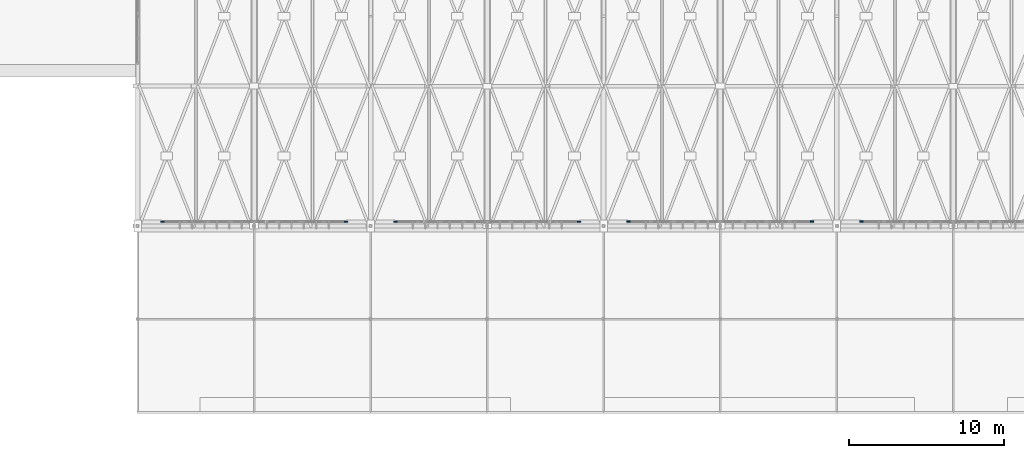
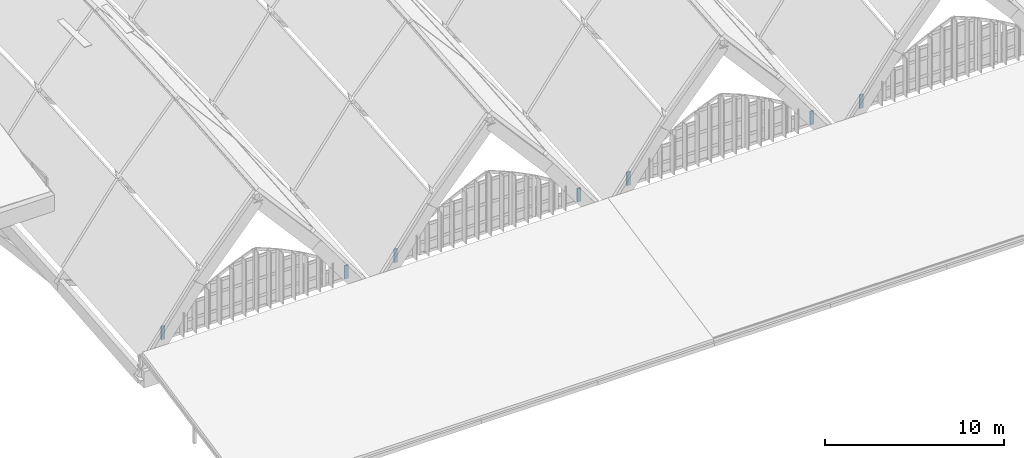
# One storey, part 54 of 93: 7 members, 4 elements without a shape of their own.
"""IFC4 building model written with IfcOpenShell, lengths in metres."""

import ifcopenshell
import ifcopenshell.guid

model = None  # the IFC model being written
_history = None  # IfcOwnerHistory: only IFC2X3 demands one
_inside = {}  # id of a spatial element -> (the spatial element, [elements in it])
_under = {}  # id of a project, library or spatial element -> (it, [spatial elements below it])
_declared = {}  # id of a project -> (the project, [libraries it declares])
_typed = {}  # id of a type object -> (the type object, [elements of that type])
_made_of = {}  # id of a material, layer set ... -> (it, [elements and type objects made of it])


def new_model(schema):
    """Start an empty IFC model of exactly this schema.

    Asked for "IFC4X3", IfcOpenShell would pick the latest addendum, in which some entities
    have other attributes; the version numbers below select the first issue.
    IFC2X3 requires an IfcOwnerHistory on every rooted entity: one is made here for all.
    """
    global model, _history
    if schema == "IFC4X3":
        model = ifcopenshell.file(schema_version=(4, 3, 0, 0))
    else:
        model = ifcopenshell.file(schema=schema)
    _inside.clear()
    _under.clear()
    _declared.clear()
    _typed.clear()
    _made_of.clear()
    _history = None
    if model.schema == "IFC2X3":
        org = make("IfcOrganization", Name="unknown")
        user = make(
            "IfcPersonAndOrganization",
            ThePerson=make("IfcPerson", FamilyName="unknown"),
            TheOrganization=org,
        )
        app = make(
            "IfcApplication",
            ApplicationDeveloper=org,
            Version="unknown",
            ApplicationFullName="unknown",
            ApplicationIdentifier="unknown",
        )
        _history = make(
            "IfcOwnerHistory",
            OwningUser=user,
            OwningApplication=app,
            ChangeAction="ADDED",
            CreationDate=0,
        )
    return model


def make(cls, **values):
    """One entity of the class cls with the attributes given. An attribute that is None is left unset."""
    return model.create_entity(
        cls, **{name: value for name, value in values.items() if value is not None}
    )


def rooted(cls, **values):
    """An entity with a GlobalId (a new one), such as an element, a storey or a relation."""
    return make(cls, GlobalId=ifcopenshell.guid.new(), OwnerHistory=_history, **values)


def si_unit(unit_type, name, prefix=None):
    """IfcSIUnit, for example si_unit("LENGTHUNIT", "METRE", prefix="MILLI")."""
    return make("IfcSIUnit", UnitType=unit_type, Prefix=prefix, Name=name)


def assignment(units):
    """IfcUnitAssignment: the units of a project."""
    return None if units is None else make("IfcUnitAssignment", Units=units)


def point(xyz):
    """IfcCartesianPoint."""
    return None if xyz is None else make("IfcCartesianPoint", Coordinates=xyz)


def direction(xyz):
    """IfcDirection."""
    return None if xyz is None else make("IfcDirection", DirectionRatios=xyz)


def frame(location, z_axis=None, x_axis=None):
    """IfcAxis2Placement3D, a coordinate frame: its origin and axes. An axis left out is left unset."""
    return make(
        "IfcAxis2Placement3D",
        Location=point(location),
        Axis=direction(z_axis),
        RefDirection=direction(x_axis),
    )


def frame_2d(location, x_axis=None):
    """IfcAxis2Placement2D, a coordinate frame in the plane: its origin and x axis."""
    return make(
        "IfcAxis2Placement2D", Location=point(location), RefDirection=direction(x_axis)
    )


def origin():
    """The frame at (0, 0, 0) with its axes left unset."""
    return frame((0.0, 0.0, 0.0))


def origin_2d():
    """The frame at (0, 0) in the plane with its x axis left unset."""
    return frame_2d((0.0, 0.0))


def place(relative_to, where):
    """IfcLocalPlacement: puts the frame where relative to a parent placement (None: the world)."""
    return make(
        "IfcLocalPlacement", PlacementRelTo=relative_to, RelativePlacement=where
    )


def context(
    kind, dimensions, precision=None, world=None, true_north=None, identifier=None
):
    """IfcGeometricRepresentationContext, for example the 3D "Model" context."""
    return make(
        "IfcGeometricRepresentationContext",
        ContextIdentifier=identifier,
        ContextType=kind,
        CoordinateSpaceDimension=dimensions,
        Precision=precision,
        WorldCoordinateSystem=world,
        TrueNorth=true_north,
    )


def subcontext(parent, identifier, kind, view, scale=None):
    """IfcGeometricRepresentationSubContext, for example "Body" below "Model"."""
    return make(
        "IfcGeometricRepresentationSubContext",
        ContextIdentifier=identifier,
        ContextType=kind,
        ParentContext=parent,
        TargetScale=scale,
        TargetView=view,
    )


def project(units=None, contexts=None):
    """IfcProject with its units and contexts."""
    return rooted(
        "IfcProject",
        Name="project",
        RepresentationContexts=contexts,
        UnitsInContext=assignment(units),
    )


def spatial(cls, under=None, at=None, **own):
    """A site, building, storey or space (cls), placed at a placement, below another one or the project."""
    s = rooted(cls, ObjectPlacement=at, **own)
    if under is not None:
        _under.setdefault(under.id(), (under, []))[1].append(s)
    return s


def profile(cls, at=None, kind="AREA", **sizes):
    """A parametric profile (cls). Its sizes go by their IFC names, for example OverallWidth=200.0."""
    return make(cls, ProfileType=kind, Position=at, **sizes)


def rectangle(**sizes):
    """IfcRectangleProfileDef."""
    return profile("IfcRectangleProfileDef", **sizes)


def extrude(swept, where, along, depth):
    """IfcExtrudedAreaSolid: the profile swept, set in the frame where, extruded along a direction by depth."""
    return make(
        "IfcExtrudedAreaSolid",
        SweptArea=swept,
        Position=where,
        ExtrudedDirection=direction(along),
        Depth=depth,
    )


def shape(context_of_items, identifier, shape_type, items):
    """IfcShapeRepresentation: the items that make up one representation, for example the "Body"."""
    return make(
        "IfcShapeRepresentation",
        ContextOfItems=context_of_items,
        RepresentationIdentifier=identifier,
        RepresentationType=shape_type,
        Items=items,
    )


def material(Name=None, Category=None):
    """IfcMaterial."""
    return make("IfcMaterial", Name=Name, Category=Category)


def material_profile(
    of_material, cross_section, Name=None, Category=None, Priority=None
):
    """IfcMaterialProfile: a cross section and its material."""
    return make(
        "IfcMaterialProfile",
        Name=Name,
        Material=of_material,
        Profile=cross_section,
        Priority=Priority,
        Category=Category,
    )


def profile_set(profiles, Name=None, composite=None):
    """IfcMaterialProfileSet."""
    return make(
        "IfcMaterialProfileSet",
        Name=Name,
        MaterialProfiles=profiles,
        CompositeProfile=composite,
    )


def made_of(thing, what):
    """Note that an element or type object is made of a material, layer set ...; save() writes the relation."""
    if what is not None:
        _made_of.setdefault(what.id(), (what, []))[1].append(thing)
    return thing


def type_object(cls, material=None, **own):
    """A type object (cls), such as IfcWallType, which elements share."""
    return made_of(rooted(cls, **own), material)


def element(
    cls,
    number,
    at=None,
    inside=None,
    cuts=None,
    type_object=None,
    material=None,
    context=None,
    identifier="Body",
    shape_type=None,
    held_by="IfcProductDefinitionShape",
    body=None,
    shapes=None,
    **own,
):
    """One element of the class cls, such as IfcWall. Its Tag is "e" and its number.

    at: its placement. inside: the storey or other place that contains it. cuts: it is an
    opening in that element (IfcRelVoidsElement). A single representation is given by context,
    identifier, shape_type and body (its items); several are given by shapes. held_by: the class
    of the entity that holds the representations. save() writes the other relations.
    """
    e = rooted(cls, Tag="e%d" % number, ObjectPlacement=at, **own)
    if body is not None:
        shapes = [shape(context, identifier, shape_type, body)]
    if shapes is not None:
        e.Representation = make(held_by, Representations=shapes)
    if inside is not None:
        _inside.setdefault(inside.id(), (inside, []))[1].append(e)
    if cuts is not None:
        rooted(
            "IfcRelVoidsElement", RelatingBuildingElement=cuts, RelatedOpeningElement=e
        )
    if type_object is not None:
        _typed.setdefault(type_object.id(), (type_object, []))[1].append(e)
    return made_of(e, material)


def aggregate(whole, parts):
    """IfcRelAggregates: a whole, such as a stair, and the parts it consists of."""
    return rooted("IfcRelAggregates", RelatingObject=whole, RelatedObjects=parts)


def save(model, path):
    """Write the relations noted so far, then the file.

    IfcRelAggregates (storeys below a building ...), IfcRelContainedInSpatialStructure (elements
    in a storey), IfcRelDefinesByType, IfcRelAssociatesMaterial and IfcRelDeclares: one each for
    every whole, place, type object, material and project.
    """
    for whole, parts in _under.values():
        aggregate(whole, parts)
    for where, things in _inside.values():
        rooted(
            "IfcRelContainedInSpatialStructure",
            RelatedElements=things,
            RelatingStructure=where,
        )
    for kind, things in _typed.values():
        rooted("IfcRelDefinesByType", RelatedObjects=things, RelatingType=kind)
    for what, things in _made_of.values():
        rooted("IfcRelAssociatesMaterial", RelatedObjects=things, RelatingMaterial=what)
    for by, libraries in _declared.values():
        rooted("IfcRelDeclares", RelatingContext=by, RelatedDefinitions=libraries)
    model.write(path)


model = new_model("IFC4")

# Units and contexts
model_context = context("Model", 3, precision=1e-05, world=origin(), true_north=direction((0.0, 1.0)))
body_context = subcontext(model_context, "Body", "Model", "MODEL_VIEW")
ifc_project = project(units=[si_unit("LENGTHUNIT", "METRE"), si_unit("AREAUNIT", "SQUARE_METRE"), si_unit("VOLUMEUNIT", "CUBIC_METRE"), si_unit("PLANEANGLEUNIT", "RADIAN"), si_unit("MASSUNIT", "GRAM", prefix="KILO")], contexts=[model_context])

# Site, building, storey
site_placement = place(None, origin())
site = spatial("IfcSite", under=ifc_project, at=site_placement, CompositionType="ELEMENT")
building_placement = place(site_placement, origin())
building = spatial("IfcBuilding", under=site, at=building_placement, Name="Vourika Railside Aquatics Centre", CompositionType="ELEMENT")
storey_placement = place(building_placement, frame((0.0, 0.0, 21.89990234375)))
storey = spatial("IfcBuildingStorey", under=building, at=storey_placement, Name="Roof", CompositionType="ELEMENT", Elevation=21.89990234375)

# Curtain wall, members
ifc_material_1 = material(Name="Anodized thermally broken aluminium", Category="aluminium")
curtain_wall_type_1 = type_object("IfcCurtainWallType", Name="CW-VLTS1", PredefinedType="NOTDEFINED", material=ifc_material_1)
curtain_wall_1_placement = place(storey_placement, origin())
curtain_wall_1 = element("IfcCurtainWall", 1, at=curtain_wall_1_placement, inside=storey, type_object=curtain_wall_type_1, Name="South Boulevard Pointed-Arch Clerestory Curtain Wall Bay 1", PredefinedType="NOTDEFINED")
ifc_material_2 = material(Name="Anodized aluminium mullion", Category="aluminium")
ifc_material_profile_1 = material_profile(ifc_material_2, rectangle(XDim=0.08203125, YDim=0.235107421875, at=origin_2d()), Name="ALU-M 82x235")
ifc_profile_set_1 = profile_set([ifc_material_profile_1], Name="Anodized aluminium mullion")
member_type_1 = type_object("IfcMemberType", Name="CWM-VLTS1", PredefinedType="MULLION", material=ifc_profile_set_1)
member_1_placement = place(storey_placement, frame((37.591064453125, 12.280029296875, -9.8798828125), z_axis=(0.0, 0.0, 1.0), x_axis=(0.0, 1.0, 0.0)))
member_1 = element("IfcMember", 2, at=member_1_placement, type_object=member_type_1, Name="CW03 arch mullion 1", PredefinedType="MULLION", context=body_context, shape_type="SweptSolid", body=[
    extrude(rectangle(XDim=0.08203125, YDim=0.235107421875, at=origin_2d()), origin(), (0.0, 0.0, 1.0), 0.909912109375),
])
member_2_placement = place(storey_placement, frame((49.408935546875, 12.280029296875, -9.8798828125), z_axis=(0.0, 0.0, 1.0), x_axis=(0.0, 1.0, 0.0)))
member_2 = element("IfcMember", 3, at=member_2_placement, type_object=member_type_1, Name="CW03 arch mullion 9", PredefinedType="MULLION", context=body_context, shape_type="SweptSolid", body=[
    extrude(rectangle(XDim=0.08203125, YDim=0.235107421875, at=origin_2d()), origin(), (0.0, 0.0, 1.0), 0.909912109375),
])
aggregate(curtain_wall_1, [member_1, member_2])

curtain_wall_2_placement = place(storey_placement, origin())
curtain_wall_2 = element("IfcCurtainWall", 4, at=curtain_wall_2_placement, inside=storey, type_object=curtain_wall_type_1, Name="South Boulevard Pointed-Arch Clerestory Curtain Wall Bay 2", PredefinedType="NOTDEFINED")
member_3_placement = place(storey_placement, frame((52.591064453125, 12.280029296875, -9.8798828125), z_axis=(0.0, 0.0, 1.0), x_axis=(0.0, 1.0, 0.0)))
member_3 = element("IfcMember", 5, at=member_3_placement, type_object=member_type_1, Name="CW03 arch mullion 1", PredefinedType="MULLION", context=body_context, shape_type="SweptSolid", body=[
    extrude(rectangle(XDim=0.08203125, YDim=0.235107421875, at=origin_2d()), origin(), (0.0, 0.0, 1.0), 0.909912109375),
])
member_4_placement = place(storey_placement, frame((64.408935546875, 12.280029296875, -9.8798828125), z_axis=(0.0, 0.0, 1.0), x_axis=(0.0, 1.0, 0.0)))
member_4 = element("IfcMember", 6, at=member_4_placement, type_object=member_type_1, Name="CW03 arch mullion 9", PredefinedType="MULLION", context=body_context, shape_type="SweptSolid", body=[
    extrude(rectangle(XDim=0.08203125, YDim=0.235107421875, at=origin_2d()), origin(), (0.0, 0.0, 1.0), 0.909912109375),
])
aggregate(curtain_wall_2, [member_3, member_4])

curtain_wall_type_2 = type_object("IfcCurtainWallType", Name="CW-VLTS2", PredefinedType="NOTDEFINED", material=ifc_material_1)
curtain_wall_3_placement = place(storey_placement, origin())
curtain_wall_3 = element("IfcCurtainWall", 7, at=curtain_wall_3_placement, inside=storey, type_object=curtain_wall_type_2, Name="South Boulevard Pointed-Arch Clerestory Curtain Wall Bay 3", PredefinedType="NOTDEFINED")
ifc_material_profile_2 = material_profile(ifc_material_2, rectangle(XDim=0.087890625, YDim=0.2451171875, at=origin_2d()), Name="ALU-M 88x245")
ifc_profile_set_2 = profile_set([ifc_material_profile_2], Name="Anodized aluminium mullion")
member_type_2 = type_object("IfcMemberType", Name="CWM-VLTS2", PredefinedType="MULLION", material=ifc_profile_set_2)
member_5_placement = place(storey_placement, frame((67.593994140625, 12.280029296875, -9.8798828125), z_axis=(0.0, 0.0, 1.0), x_axis=(0.0, 1.0, 0.0)))
member_5 = element("IfcMember", 8, at=member_5_placement, type_object=member_type_2, Name="CW04 arch mullion 1", PredefinedType="MULLION", context=body_context, shape_type="SweptSolid", body=[
    extrude(rectangle(XDim=0.087890625, YDim=0.2451171875, at=origin_2d()), origin(), (0.0, 0.0, 1.0), 0.911865234375),
])
member_6_placement = place(storey_placement, frame((79.406005859375, 12.280029296875, -9.8798828125), z_axis=(0.0, 0.0, 1.0), x_axis=(0.0, 1.0, 0.0)))
member_6 = element("IfcMember", 9, at=member_6_placement, type_object=member_type_2, Name="CW04 arch mullion 9", PredefinedType="MULLION", context=body_context, shape_type="SweptSolid", body=[
    extrude(rectangle(XDim=0.087890625, YDim=0.2451171875, at=origin_2d()), origin(), (0.0, 0.0, 1.0), 0.911865234375),
])
aggregate(curtain_wall_3, [member_5, member_6])

# Curtain wall, member
curtain_wall_4_placement = place(storey_placement, origin())
curtain_wall_4 = element("IfcCurtainWall", 10, at=curtain_wall_4_placement, inside=storey, type_object=curtain_wall_type_2, Name="South Boulevard Pointed-Arch Clerestory Curtain Wall Bay 4", PredefinedType="NOTDEFINED")
member_7_placement = place(storey_placement, frame((82.593994140625, 12.280029296875, -9.8798828125), z_axis=(0.0, 0.0, 1.0), x_axis=(0.0, 1.0, 0.0)))
member_7 = element("IfcMember", 11, at=member_7_placement, type_object=member_type_2, Name="CW04 arch mullion 1", PredefinedType="MULLION", context=body_context, shape_type="SweptSolid", body=[
    extrude(rectangle(XDim=0.087890625, YDim=0.2451171875, at=origin_2d()), origin(), (0.0, 0.0, 1.0), 0.911865234375),
])
aggregate(curtain_wall_4, [member_7])

save(model, "model.ifc")
